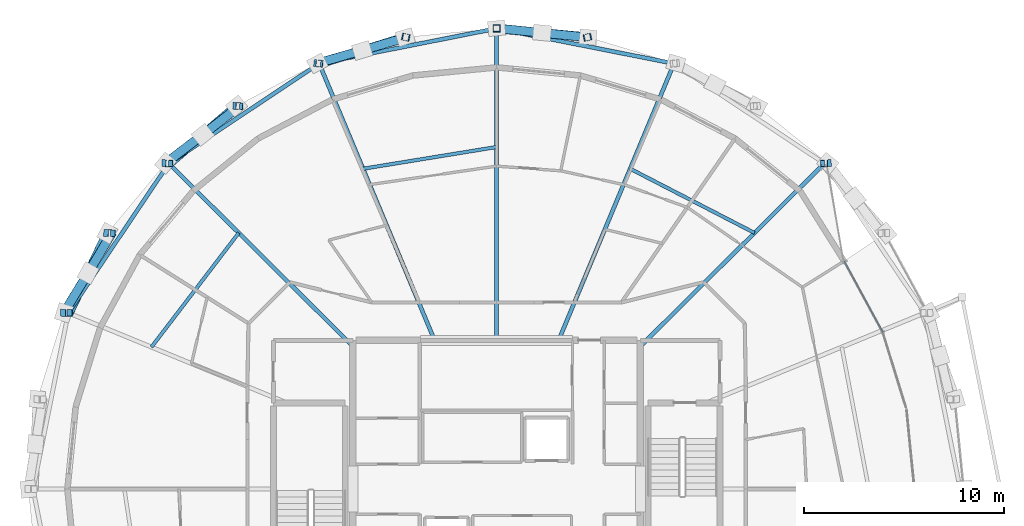
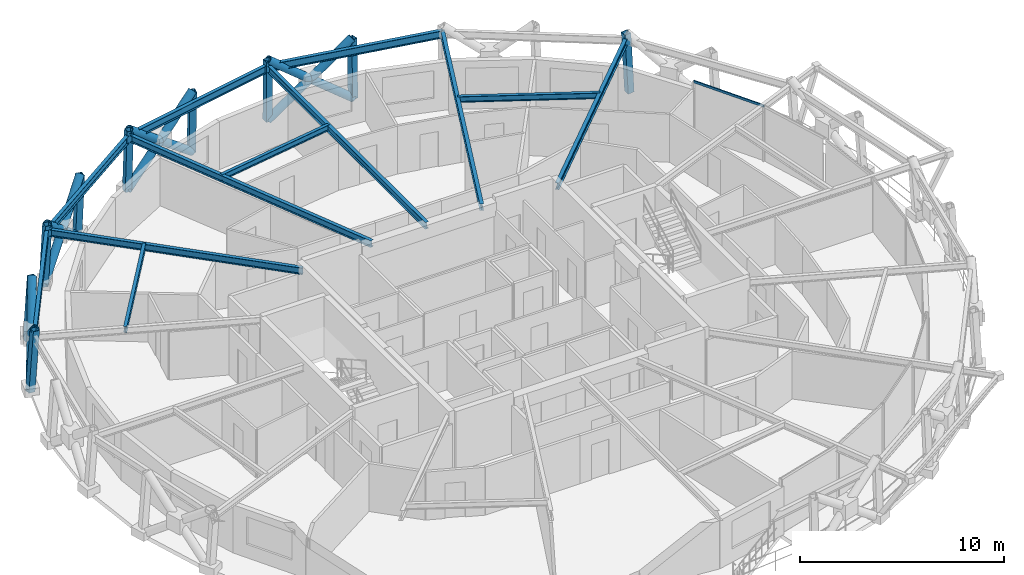
# One storey, part 10 of 18: 22 members, 12 beams, 1 element without a shape of its own.
"""IFC4 building model written with IfcOpenShell, lengths in metres."""

from ifc_helpers import new_model, si_unit, direction, frame, origin, origin_2d, place, context, subcontext, project, spatial, hollow_rectangle, hollow_circle, i_section, extrude, material, layer, layer_set, material_profile, profile_set, type_object, element, aggregate, save


model = new_model("IFC4")

# Units and contexts
model_context = context("Model", 3, precision=1e-05, world=origin(), true_north=direction((0.0, 1.0)))
body_context = subcontext(model_context, "Body", "Model", "MODEL_VIEW")
ifc_project = project(units=[si_unit("LENGTHUNIT", "METRE"), si_unit("AREAUNIT", "SQUARE_METRE"), si_unit("VOLUMEUNIT", "CUBIC_METRE"), si_unit("PLANEANGLEUNIT", "RADIAN"), si_unit("MASSUNIT", "GRAM", prefix="KILO")], contexts=[model_context])

# Site, building, storey
site_placement = place(None, origin())
site = spatial("IfcSite", under=ifc_project, at=site_placement, CompositionType="ELEMENT")
building_placement = place(site_placement, origin())
building = spatial("IfcBuilding", under=site, at=building_placement, Name="Veldorina Hangang Commons", CompositionType="ELEMENT")
storey_placement = place(building_placement, frame((0.0, 0.0, 243.60009765625)))
storey = spatial("IfcBuildingStorey", under=building, at=storey_placement, Name="L63", CompositionType="ELEMENT", Elevation=243.60009765625)

# Beams
ifc_material_1 = material(Name="Steel SM355-TMC", Category="steel")
ifc_material_profile_1 = material_profile(ifc_material_1, i_section(OverallWidth=0.199951171875, OverallDepth=0.39990234375, WebThickness=0.008056640625, FlangeThickness=0.012939453125, FilletRadius=0.012939453125, at=origin_2d()), Name="H-400x200x8x13")
ifc_profile_set_1 = profile_set([ifc_material_profile_1], Name="Steel SM355-TMC")
beam_type_1 = type_object("IfcBeamType", Name="BM-FG400", PredefinedType="BEAM", material=ifc_profile_set_1)
beam_1_placement = place(storey_placement, frame((39.199951171875, 31.1552734375, 3.159912109375), z_axis=(0.709301904205, 0.704904822435, 0.0), x_axis=(-0.704904822435, 0.709301904205, 0.0)))
element("IfcBeam", 1, at=beam_1_placement, inside=storey, type_object=beam_type_1, Name="L63 radial floor girder 03", PredefinedType="BEAM", context=body_context, shape_type="SweptSolid", body=[
    extrude(i_section(OverallWidth=0.199951171875, OverallDepth=0.39990234375, WebThickness=0.008056640625, FlangeThickness=0.012939453125, FilletRadius=0.012939453125, at=origin_2d()), origin(), (0.0, 0.0, 1.0), 12.992431640625),
])
beam_2_placement = place(storey_placement, frame((35.10498046875, 31.449951171875, 3.159912109375), z_axis=(0.384727326273, 0.923030272753, 0.0), x_axis=(-0.923030272753, 0.384727326273, 0.0)))
element("IfcBeam", 2, at=beam_2_placement, inside=storey, type_object=beam_type_1, Name="L63 radial floor girder 04", PredefinedType="BEAM", context=body_context, shape_type="SweptSolid", body=[
    extrude(i_section(OverallWidth=0.199951171875, OverallDepth=0.39990234375, WebThickness=0.008056640625, FlangeThickness=0.012939453125, FilletRadius=0.012939453125, at=origin_2d()), origin(), (0.0, 0.0, 1.0), 15.021240234375),
])
beam_3_placement = place(storey_placement, frame((32.0, 31.449951171875, 3.159912109375), z_axis=(0.0, 1.0, 0.0), x_axis=(-1.0, 0.0, 0.0)))
element("IfcBeam", 3, at=beam_3_placement, inside=storey, type_object=beam_type_1, Name="L63 radial floor girder 05", PredefinedType="BEAM", context=body_context, shape_type="SweptSolid", body=[
    extrude(i_section(OverallWidth=0.199951171875, OverallDepth=0.39990234375, WebThickness=0.008056640625, FlangeThickness=0.012939453125, FilletRadius=0.012939453125, at=origin_2d()), origin(), (0.0, 0.0, 1.0), 15.621337890625),
])
beam_4_placement = place(storey_placement, frame((28.89501953125, 31.449951171875, 3.159912109375), z_axis=(-0.384727326273, 0.923030272753, 0.0), x_axis=(-0.923030272753, -0.384727326273, 0.0)))
element("IfcBeam", 4, at=beam_4_placement, inside=storey, type_object=beam_type_1, Name="L63 radial floor girder 06", PredefinedType="BEAM", context=body_context, shape_type="SweptSolid", body=[
    extrude(i_section(OverallWidth=0.199951171875, OverallDepth=0.39990234375, WebThickness=0.008056640625, FlangeThickness=0.012939453125, FilletRadius=0.012939453125, at=origin_2d()), origin(), (0.0, 0.0, 1.0), 15.021240234375),
])
beam_5_placement = place(storey_placement, frame((24.800048828125, 31.1552734375, 3.159912109375), z_axis=(-0.709301904205, 0.704904822435, 0.0), x_axis=(-0.704904822435, -0.709301904205, 0.0)))
element("IfcBeam", 5, at=beam_5_placement, inside=storey, type_object=beam_type_1, Name="L63 radial floor girder 07", PredefinedType="BEAM", context=body_context, shape_type="SweptSolid", body=[
    extrude(i_section(OverallWidth=0.199951171875, OverallDepth=0.39990234375, WebThickness=0.008056640625, FlangeThickness=0.012939453125, FilletRadius=0.012939453125, at=origin_2d()), origin(), (0.0, 0.0, 1.0), 12.992431640625),
])
ifc_material_profile_2 = material_profile(ifc_material_1, i_section(OverallWidth=0.175048828125, OverallDepth=0.35009765625, WebThickness=0.007080078125, FlangeThickness=0.010986328125, FilletRadius=0.012939453125, at=origin_2d()), Name="H-350x175x7x11")
ifc_profile_set_2 = profile_set([ifc_material_profile_2], Name="Steel SM355-TMC")
beam_type_2 = type_object("IfcBeamType", Name="BM-JST350", PredefinedType="JOIST", material=ifc_profile_set_2)
beam_6_placement = place(storey_placement, frame((44.913818359375, 36.83349609375, 3.184814453125), z_axis=(-0.888646311677, 0.458593210528, 0.0), x_axis=(-0.458593210528, -0.888646311677, 0.0)))
element("IfcBeam", 6, at=beam_6_placement, inside=storey, type_object=beam_type_2, Name="L63 secondary floor joist 03", PredefinedType="JOIST", context=body_context, shape_type="SweptSolid", body=[
    extrude(i_section(OverallWidth=0.175048828125, OverallDepth=0.35009765625, WebThickness=0.007080078125, FlangeThickness=0.010986328125, FilletRadius=0.012939453125, at=origin_2d()), origin(), (0.0, 0.0, 1.0), 7.005859375),
])
beam_7_placement = place(storey_placement, frame((32.0, 41.13525390625, 3.184814453125), z_axis=(-0.987004346368, -0.160693560079, 0.0), x_axis=(0.160693560079, -0.987004346368, 0.0)))
element("IfcBeam", 7, at=beam_7_placement, inside=storey, type_object=beam_type_2, Name="L63 secondary floor joist 05", PredefinedType="JOIST", context=body_context, shape_type="SweptSolid", body=[
    extrude(i_section(OverallWidth=0.175048828125, OverallDepth=0.35009765625, WebThickness=0.007080078125, FlangeThickness=0.010986328125, FilletRadius=0.012939453125, at=origin_2d()), origin(), (0.0, 0.0, 1.0), 6.776123046875),
])
beam_8_placement = place(storey_placement, frame((19.086181640625, 36.83349609375, 3.184814453125), z_axis=(-0.607382119834, -0.794409818989, 0.0), x_axis=(0.794409818989, -0.607382119834, 0.0)))
element("IfcBeam", 8, at=beam_8_placement, inside=storey, type_object=beam_type_2, Name="L63 secondary floor joist 07", PredefinedType="JOIST", context=body_context, shape_type="SweptSolid", body=[
    extrude(i_section(OverallWidth=0.175048828125, OverallDepth=0.35009765625, WebThickness=0.007080078125, FlangeThickness=0.010986328125, FilletRadius=0.012939453125, at=origin_2d()), origin(), (0.0, 0.0, 1.0), 7.19775390625),
])
ifc_material_profile_3 = material_profile(ifc_material_1, i_section(OverallWidth=0.199951171875, OverallDepth=0.449951171875, WebThickness=0.009033203125, FlangeThickness=0.013916015625, FilletRadius=0.01611328125, at=origin_2d()), Name="H-450x200x9x14")
ifc_profile_set_3 = profile_set([ifc_material_profile_3], Name="Steel SM355-TMC")
beam_type_3 = type_object("IfcBeamType", Name="BM-RB450", PredefinedType="BEAM", material=ifc_profile_set_3)
for number, where, z_axis, x_axis, name in (
    (9, (40.884033203125, 45.31494140625, 3.135009765625), (-0.981012724964, 0.193943376938, 0.0), (-0.193943376938, -0.981012724964, 0.0), "L63 perimeter hoop ring beam 06"),
    (10, (32.0, 47.0712890625, 3.135009765625), (-0.981012724964, -0.193943376938, 0.0), (0.193943376938, -0.981012724964, 0.0), "L63 perimeter hoop ring beam 08"),
):
    element("IfcBeam", number, at=place(storey_placement, frame(where, z_axis=z_axis, x_axis=x_axis)), inside=storey, type_object=beam_type_3, Name=name, PredefinedType="BEAM", context=body_context, shape_type="SweptSolid", body=[
        extrude(i_section(OverallWidth=0.199951171875, OverallDepth=0.449951171875, WebThickness=0.009033203125, FlangeThickness=0.013916015625, FilletRadius=0.01611328125, at=origin_2d()), origin(), (0.0, 0.0, 1.0), 9.055908203125),
    ])
beam_9_placement = place(storey_placement, frame((23.115966796875, 45.31494140625, 3.135009765625), z_axis=(-0.83305846509, -0.55318495437, 0.0), x_axis=(0.55318495437, -0.83305846509, 0.0)))
element("IfcBeam", 11, at=beam_9_placement, inside=storey, type_object=beam_type_3, Name="L63 perimeter hoop ring beam 10", PredefinedType="BEAM", context=body_context, shape_type="SweptSolid", body=[
    extrude(i_section(OverallWidth=0.199951171875, OverallDepth=0.449951171875, WebThickness=0.009033203125, FlangeThickness=0.013916015625, FilletRadius=0.01611328125, at=origin_2d()), origin(), (0.0, 0.0, 1.0), 9.040771484375),
])
beam_10_placement = place(storey_placement, frame((15.58447265625, 40.313720703125, 3.135009765625), z_axis=(-0.557975413359, -0.829857480587, 0.0), x_axis=(0.829857480587, -0.557975413359, 0.0)))
element("IfcBeam", 12, at=beam_10_placement, inside=storey, type_object=beam_type_3, Name="L63 perimeter hoop ring beam 12", PredefinedType="BEAM", context=body_context, shape_type="SweptSolid", body=[
    extrude(i_section(OverallWidth=0.199951171875, OverallDepth=0.449951171875, WebThickness=0.009033203125, FlangeThickness=0.013916015625, FilletRadius=0.01611328125, at=origin_2d()), origin(), (0.0, 0.0, 1.0), 9.01904296875),
])

# Curtain wall, member
ifc_material_2 = material(Name="Glass Low-E Selective", Category="glass")
ifc_layer = layer(ifc_material_2, 0.179931640625)
ifc_layer_set = layer_set([ifc_layer], Name="Glass Low-E Selective")
curtain_wall_type = type_object("IfcCurtainWallType", Name="CW-SYS-Z3", PredefinedType="NOTDEFINED", material=ifc_layer_set)
curtain_wall_placement = place(storey_placement, origin())
curtain_wall = element("IfcCurtainWall", 13, at=curtain_wall_placement, inside=storey, type_object=curtain_wall_type, Name="L63 unitised curtain wall CW-L63-R2", PredefinedType="NOTDEFINED")
ifc_material_3 = material(Name="Aluminium Anodized AA6063-T6", Category="aluminium")
ifc_material_profile_4 = material_profile(ifc_material_3, hollow_rectangle(XDim=0.06005859375, YDim=0.139892578125, WallThickness=0.00341796875, at=origin_2d()), Name="ALU-RHS-140x60x3.5")
ifc_profile_set_4 = profile_set([ifc_material_profile_4], Name="Aluminium Anodized AA6063-T6")
member_type_1 = type_object("IfcMemberType", Name="CW-TRN-140", PredefinedType="USERDEFINED", material=ifc_profile_set_4)
member_1_placement = place(storey_placement, frame((51.33984375, 31.86865234375, 3.27978515625), z_axis=(-0.4779981632, 0.878360834724, 0.0), x_axis=(-0.878360834724, -0.4779981632, 0.0)))
member_1 = element("IfcMember", 14, at=member_1_placement, type_object=member_type_1, Name="CW-L63-R2 facet 5 transom 1", ObjectType="TRANSOM", PredefinedType="USERDEFINED", context=body_context, shape_type="SweptSolid", body=[
    extrude(hollow_rectangle(XDim=0.06005859375, YDim=0.139892578125, WallThickness=0.00341796875, at=origin_2d()), origin(), (0.0, 0.0, 1.0), 4.047119140625),
])
aggregate(curtain_wall, [member_1])

# Members
ifc_material_profile_5 = material_profile(ifc_material_1, hollow_circle(Radius=0.22509765625, WallThickness=0.02197265625, at=origin_2d()), Name="CHS-450x22")
ifc_profile_set_5 = profile_set([ifc_material_profile_5], Name="Steel SM355-TMC")
member_type_2 = type_object("IfcMemberType", Name="DG-CHS450", PredefinedType="BRACE", material=ifc_profile_set_5)
member_2_placement = place(storey_placement, frame((36.575439453125, 46.63818359375, 0.0), z_axis=(-0.783763377436, 0.073897331409, 0.616647510821), x_axis=(-0.093868946257, -0.99558456242, 0.0)))
element("IfcMember", 15, at=member_2_placement, inside=storey, type_object=member_type_2, Name="L63 continuous perimeter diagrid brace 07", PredefinedType="BRACE", context=body_context, shape_type="SweptSolid", body=[
    extrude(hollow_circle(Radius=0.22509765625, WallThickness=0.02197265625, at=origin_2d()), origin(), (0.0, 0.0, 1.0), 5.837890625),
])
member_3_placement = place(storey_placement, frame((32.0, 47.081787109375, 0.0), z_axis=(0.780049410292, -0.077703505018, 0.62087445012), x_axis=(0.099122990113, 0.995075189537, 0.0)))
element("IfcMember", 16, at=member_3_placement, inside=storey, type_object=member_type_2, Name="L63 split perimeter diagrid lower brace 08", PredefinedType="BRACE", context=body_context, shape_type="SweptSolid", body=[
    extrude(hollow_circle(Radius=0.22509765625, WallThickness=0.02197265625, at=origin_2d()), origin(), (0.0, 0.0, 1.0), 2.915771484375),
])
member_4_placement = place(storey_placement, frame((34.2744140625, 46.855224609375, 1.810302734375), z_axis=(0.779874255977, -0.079368108814, 0.620883924874), x_axis=(0.101247422189, 0.994861276511, 0.0)))
element("IfcMember", 17, at=member_4_placement, inside=storey, type_object=member_type_2, Name="L63 split perimeter diagrid upper brace 08", PredefinedType="BRACE", context=body_context, shape_type="SweptSolid", body=[
    extrude(hollow_circle(Radius=0.22509765625, WallThickness=0.02197265625, at=origin_2d()), origin(), (0.0, 0.0, 1.0), 2.88232421875),
])
member_5_placement = place(storey_placement, frame((27.424560546875, 46.63818359375, 0.0), z_axis=(-0.745868432909, -0.229996944724, 0.625125336398), x_axis=(0.294669775194, -0.955599143777, 0.0)))
element("IfcMember", 18, at=member_5_placement, inside=storey, type_object=member_type_2, Name="L63 continuous perimeter diagrid brace 09", PredefinedType="BRACE", context=body_context, shape_type="SweptSolid", body=[
    extrude(hollow_circle(Radius=0.22509765625, WallThickness=0.02197265625, at=origin_2d()), origin(), (0.0, 0.0, 1.0), 5.758544921875),
])
member_6_placement = place(storey_placement, frame((23.02490234375, 45.32470703125, 0.0), z_axis=(0.758991175647, 0.219418501579, 0.613015429214), x_axis=(-0.277720001642, 0.960662063729, 0.0)))
element("IfcMember", 19, at=member_6_placement, inside=storey, type_object=member_type_2, Name="L63 split perimeter diagrid lower brace 10", PredefinedType="BRACE", context=body_context, shape_type="SweptSolid", body=[
    extrude(hollow_circle(Radius=0.22509765625, WallThickness=0.02197265625, at=origin_2d()), origin(), (0.0, 0.0, 1.0), 2.951904296875),
])
member_7_placement = place(storey_placement, frame((25.265380859375, 45.972412109375, 1.8095703125), z_axis=(0.757617699781, 0.223974599174, 0.613066717335), x_axis=(-0.283500976361, 0.958971947662, 0.0)))
element("IfcMember", 20, at=member_7_placement, inside=storey, type_object=member_type_2, Name="L63 split perimeter diagrid upper brace 10", PredefinedType="BRACE", context=body_context, shape_type="SweptSolid", body=[
    extrude(hollow_circle(Radius=0.22509765625, WallThickness=0.02197265625, at=origin_2d()), origin(), (0.0, 0.0, 1.0), 2.920166015625),
])
member_8_placement = place(storey_placement, frame((18.97021484375, 43.19189453125, 0.0), z_axis=(-0.589134390122, -0.504697215074, 0.63103200511), x_axis=(0.650586906673, -0.75943181186, 0.0)))
element("IfcMember", 21, at=member_8_placement, inside=storey, type_object=member_type_2, Name="L63 continuous perimeter diagrid brace 11", PredefinedType="BRACE", context=body_context, shape_type="SweptSolid", body=[
    extrude(hollow_circle(Radius=0.22509765625, WallThickness=0.02197265625, at=origin_2d()), origin(), (0.0, 0.0, 1.0), 5.70458984375),
])
member_9_placement = place(storey_placement, frame((15.416015625, 40.3212890625, 0.0), z_axis=(0.630161736873, 0.481064646188, 0.609485841977), x_axis=(-0.606794267391, 0.794858929031, 0.0)))
element("IfcMember", 22, at=member_9_placement, inside=storey, type_object=member_type_2, Name="L63 split perimeter diagrid lower brace 12", PredefinedType="BRACE", context=body_context, shape_type="SweptSolid", body=[
    extrude(hollow_circle(Radius=0.22509765625, WallThickness=0.02197265625, at=origin_2d()), origin(), (0.0, 0.0, 1.0), 2.9638671875),
])
member_10_placement = place(storey_placement, frame((17.28369140625, 41.7470703125, 1.806396484375), z_axis=(0.624893586574, 0.487715751434, 0.609623942493), x_axis=(-0.615266094973, 0.788319498919, 0.0)))
element("IfcMember", 23, at=member_10_placement, inside=storey, type_object=member_type_2, Name="L63 split perimeter diagrid upper brace 12", PredefinedType="BRACE", context=body_context, shape_type="SweptSolid", body=[
    extrude(hollow_circle(Radius=0.22509765625, WallThickness=0.02197265625, at=origin_2d()), origin(), (0.0, 0.0, 1.0), 2.94189453125),
])
member_11_placement = place(storey_placement, frame((12.49951171875, 36.823486328125, 0.0), z_axis=(-0.335431954686, -0.69986083214, 0.63061891774), x_axis=(0.901774864408, -0.432206078071, 0.0)))
element("IfcMember", 24, at=member_11_placement, inside=storey, type_object=member_type_2, Name="L63 continuous perimeter diagrid brace 13", PredefinedType="BRACE", context=body_context, shape_type="SweptSolid", body=[
    extrude(hollow_circle(Radius=0.22509765625, WallThickness=0.02197265625, at=origin_2d()), origin(), (0.0, 0.0, 1.0), 5.70849609375),
])
member_12_placement = place(storey_placement, frame((10.33203125, 32.8330078125, 0.0), z_axis=(0.410417911493, 0.675821494258, 0.612227446154), x_axis=(-0.854732684957, 0.51906843216, 0.0)))
element("IfcMember", 25, at=member_12_placement, inside=storey, type_object=member_type_2, Name="L63 split perimeter diagrid lower brace 14", PredefinedType="BRACE", context=body_context, shape_type="SweptSolid", body=[
    extrude(hollow_circle(Radius=0.22509765625, WallThickness=0.02197265625, at=origin_2d()), origin(), (0.0, 0.0, 1.0), 2.944580078125),
])
member_13_placement = place(storey_placement, frame((11.54052734375, 34.822998046875, 1.802734375), z_axis=(0.404223776732, 0.679418724957, 0.612366993316), x_axis=(-0.859399679684, 0.511304401076, 0.0)))
element("IfcMember", 26, at=member_13_placement, inside=storey, type_object=member_type_2, Name="L63 split perimeter diagrid upper brace 14", PredefinedType="BRACE", context=body_context, shape_type="SweptSolid", body=[
    extrude(hollow_circle(Radius=0.22509765625, WallThickness=0.02197265625, at=origin_2d()), origin(), (0.0, 0.0, 1.0), 2.934814453125),
])
ifc_material_profile_6 = material_profile(ifc_material_1, hollow_rectangle(XDim=0.35009765625, YDim=0.35009765625, WallThickness=0.01611328125, at=origin_2d()), Name="SHS-350x350x16")
ifc_profile_set_6 = profile_set([ifc_material_profile_6], Name="Steel SM355-TMC")
member_type_3 = type_object("IfcMemberType", Name="STR-SHS350", PredefinedType="STRUT", material=ifc_profile_set_6)
member_14_placement = place(storey_placement, frame((48.583984375, 40.3212890625, 0.0), z_axis=(-0.05363565583, -0.002370262568, 0.99855775911), x_axis=(0.044148830526, -0.999024965035, 0.0)))
element("IfcMember", 27, at=member_14_placement, inside=storey, type_object=member_type_3, Name="L63 perimeter ring node post 04", PredefinedType="STRUT", context=body_context, shape_type="SweptSolid", body=[
    extrude(hollow_rectangle(XDim=0.35009765625, YDim=0.35009765625, WallThickness=0.01611328125, at=origin_2d()), origin(), (0.0, 0.0, 1.0), 3.60498046875),
])
member_15_placement = place(storey_placement, frame((36.575439453125, 46.63818359375, 0.0), z_axis=(-0.014782978858, -0.003254967822, 0.999885427797), x_axis=(0.21503270071, -0.976606849057, 0.0)))
element("IfcMember", 28, at=member_15_placement, inside=storey, type_object=member_type_3, Name="L63 perimeter ring node post 07", PredefinedType="STRUT", context=body_context, shape_type="SweptSolid", body=[
    extrude(hollow_rectangle(XDim=0.35009765625, YDim=0.35009765625, WallThickness=0.01611328125, at=origin_2d()), origin(), (0.0, 0.0, 1.0), 3.600341796875),
])
member_16_placement = place(storey_placement, frame((32.0, 47.081787109375, 0.0), z_axis=(0.0, -0.003390960497, 0.999994250677), x_axis=(1.0, 0.0, 0.0)))
element("IfcMember", 29, at=member_16_placement, inside=storey, type_object=member_type_3, Name="L63 perimeter ring node post 08", PredefinedType="STRUT", context=body_context, shape_type="SweptSolid", body=[
    extrude(hollow_rectangle(XDim=0.35009765625, YDim=0.35009765625, WallThickness=0.01611328125, at=origin_2d()), origin(), (0.0, 0.0, 1.0), 3.599853515625),
])
member_17_placement = place(storey_placement, frame((27.424560546875, 46.63818359375, 0.0), z_axis=(0.014782978858, -0.003254967822, 0.999885427797), x_axis=(0.21503270071, 0.976606849057, 0.0)))
element("IfcMember", 30, at=member_17_placement, inside=storey, type_object=member_type_3, Name="L63 perimeter ring node post 09", PredefinedType="STRUT", context=body_context, shape_type="SweptSolid", body=[
    extrude(hollow_rectangle(XDim=0.35009765625, YDim=0.35009765625, WallThickness=0.01611328125, at=origin_2d()), origin(), (0.0, 0.0, 1.0), 3.600341796875),
])
member_18_placement = place(storey_placement, frame((23.02490234375, 45.32470703125, 0.0), z_axis=(0.029014433133, -0.003050582923, 0.999574337713), x_axis=(0.10456382711, 0.994518177843, 0.0)))
element("IfcMember", 31, at=member_18_placement, inside=storey, type_object=member_type_3, Name="L63 perimeter ring node post 10", PredefinedType="STRUT", context=body_context, shape_type="SweptSolid", body=[
    extrude(hollow_rectangle(XDim=0.35009765625, YDim=0.35009765625, WallThickness=0.01611328125, at=origin_2d()), origin(), (0.0, 0.0, 1.0), 3.601318359375),
])
member_19_placement = place(storey_placement, frame((18.97021484375, 43.19189453125, 0.0), z_axis=(0.042146146048, -0.002778122167, 0.999107594011), x_axis=(0.065773661248, 0.997834568196, 0.0)))
element("IfcMember", 32, at=member_19_placement, inside=storey, type_object=member_type_3, Name="L63 perimeter ring node post 11", PredefinedType="STRUT", context=body_context, shape_type="SweptSolid", body=[
    extrude(hollow_rectangle(XDim=0.35009765625, YDim=0.35009765625, WallThickness=0.01611328125, at=origin_2d()), origin(), (0.0, 0.0, 1.0), 3.60302734375),
])
member_20_placement = place(storey_placement, frame((15.416015625, 40.3212890625, 0.0), z_axis=(0.05363565583, -0.002370262568, 0.99855775911), x_axis=(0.044148830526, 0.999024965035, 0.0)))
element("IfcMember", 33, at=member_20_placement, inside=storey, type_object=member_type_3, Name="L63 perimeter ring node post 12", PredefinedType="STRUT", context=body_context, shape_type="SweptSolid", body=[
    extrude(hollow_rectangle(XDim=0.35009765625, YDim=0.35009765625, WallThickness=0.01611328125, at=origin_2d()), origin(), (0.0, 0.0, 1.0), 3.60498046875),
])
member_21_placement = place(storey_placement, frame((12.49951171875, 36.823486328125, 0.0), z_axis=(0.063014458194, -0.001827486972, 0.998010940997), x_axis=(0.028988885947, 0.999579733934, 0.0)))
element("IfcMember", 34, at=member_21_placement, inside=storey, type_object=member_type_3, Name="L63 perimeter ring node post 13", PredefinedType="STRUT", context=body_context, shape_type="SweptSolid", body=[
    extrude(hollow_rectangle(XDim=0.35009765625, YDim=0.35009765625, WallThickness=0.01611328125, at=origin_2d()), origin(), (0.0, 0.0, 1.0), 3.60693359375),
])
member_22_placement = place(storey_placement, frame((10.33203125, 32.8330078125, 0.0), z_axis=(0.070020939835, -0.001285408557, 0.99754469359), x_axis=(0.018354395492, 0.999831543894, 0.0)))
element("IfcMember", 35, at=member_22_placement, inside=storey, type_object=member_type_3, Name="L63 perimeter ring node post 14", PredefinedType="STRUT", context=body_context, shape_type="SweptSolid", body=[
    extrude(hollow_rectangle(XDim=0.35009765625, YDim=0.35009765625, WallThickness=0.01611328125, at=origin_2d()), origin(), (0.0, 0.0, 1.0), 3.608642578125),
])

save(model, "model.ifc")
